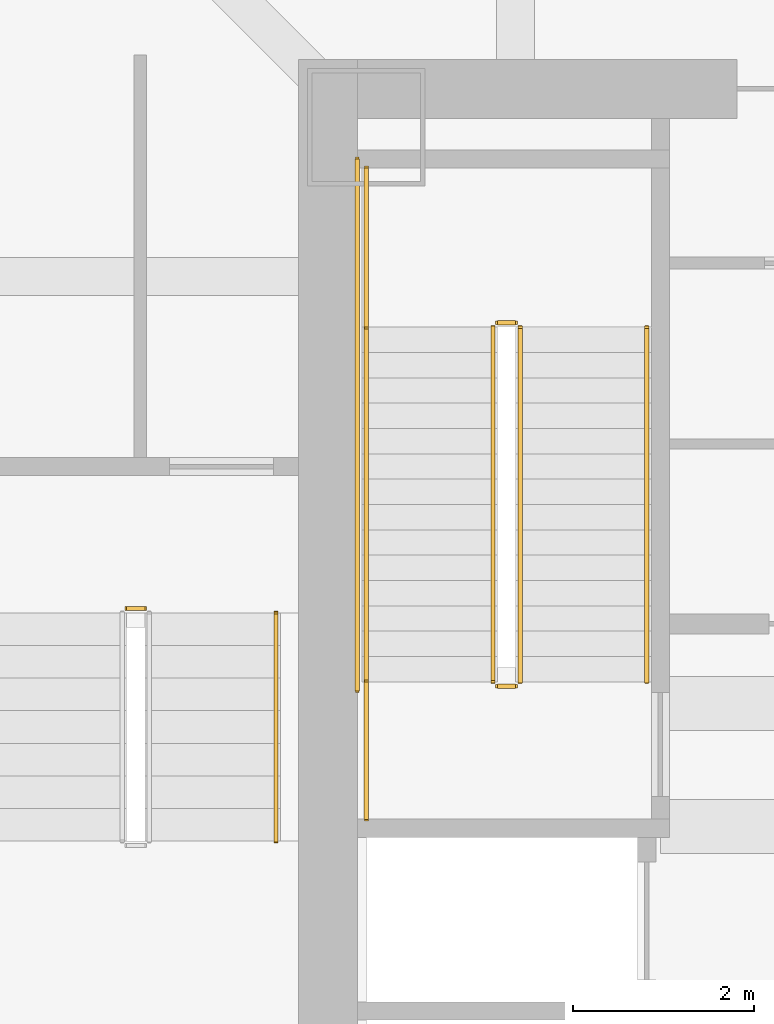
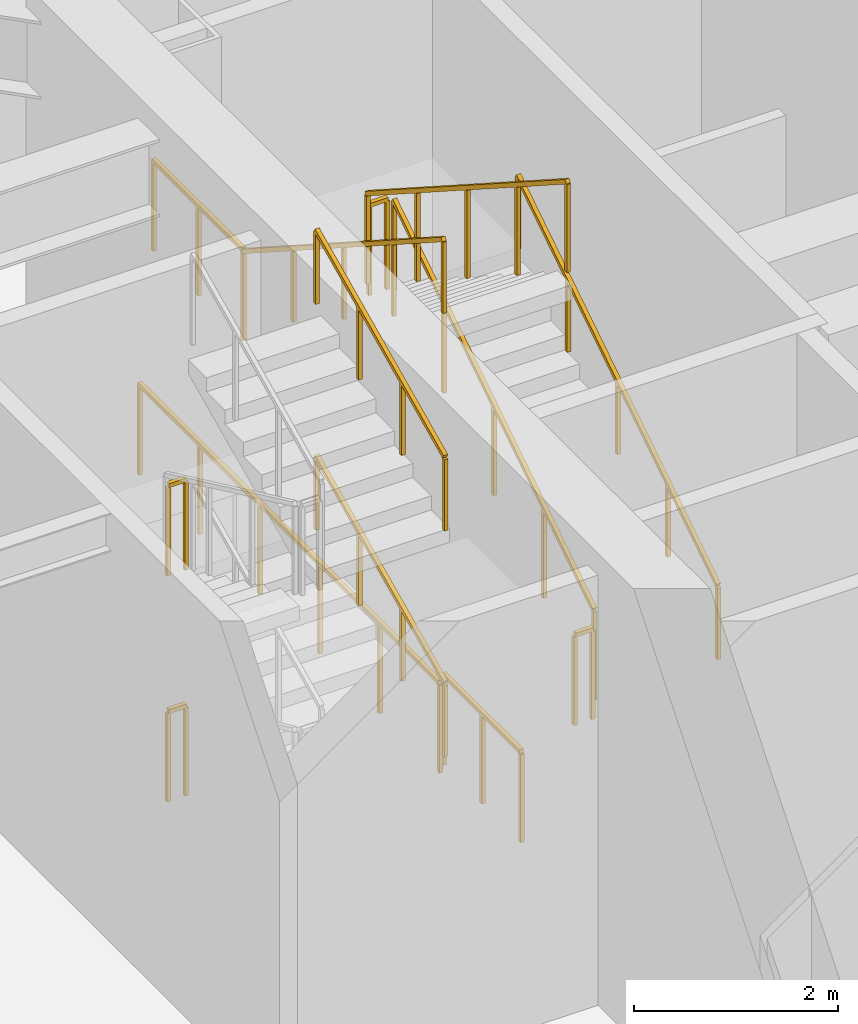
# One storey, part 44 of 48: 13 railings.
"""IFC4 building model written with IfcOpenShell, lengths in metres."""

import ifcopenshell
import ifcopenshell.guid

model = None  # the IFC model being written
_history = None  # IfcOwnerHistory: only IFC2X3 demands one
_inside = {}  # id of a spatial element -> (the spatial element, [elements in it])
_under = {}  # id of a project, library or spatial element -> (it, [spatial elements below it])
_declared = {}  # id of a project -> (the project, [libraries it declares])
_typed = {}  # id of a type object -> (the type object, [elements of that type])
_made_of = {}  # id of a material, layer set ... -> (it, [elements and type objects made of it])


def new_model(schema):
    """Start an empty IFC model of exactly this schema.

    Asked for "IFC4X3", IfcOpenShell would pick the latest addendum, in which some entities
    have other attributes; the version numbers below select the first issue.
    IFC2X3 requires an IfcOwnerHistory on every rooted entity: one is made here for all.
    """
    global model, _history
    if schema == "IFC4X3":
        model = ifcopenshell.file(schema_version=(4, 3, 0, 0))
    else:
        model = ifcopenshell.file(schema=schema)
    _inside.clear()
    _under.clear()
    _declared.clear()
    _typed.clear()
    _made_of.clear()
    _history = None
    if model.schema == "IFC2X3":
        org = make("IfcOrganization", Name="unknown")
        user = make(
            "IfcPersonAndOrganization",
            ThePerson=make("IfcPerson", FamilyName="unknown"),
            TheOrganization=org,
        )
        app = make(
            "IfcApplication",
            ApplicationDeveloper=org,
            Version="unknown",
            ApplicationFullName="unknown",
            ApplicationIdentifier="unknown",
        )
        _history = make(
            "IfcOwnerHistory",
            OwningUser=user,
            OwningApplication=app,
            ChangeAction="ADDED",
            CreationDate=0,
        )
    return model


def make(cls, **values):
    """One entity of the class cls with the attributes given. An attribute that is None is left unset."""
    return model.create_entity(
        cls, **{name: value for name, value in values.items() if value is not None}
    )


def rooted(cls, **values):
    """An entity with a GlobalId (a new one), such as an element, a storey or a relation."""
    return make(cls, GlobalId=ifcopenshell.guid.new(), OwnerHistory=_history, **values)


def si_unit(unit_type, name, prefix=None):
    """IfcSIUnit, for example si_unit("LENGTHUNIT", "METRE", prefix="MILLI")."""
    return make("IfcSIUnit", UnitType=unit_type, Prefix=prefix, Name=name)


def assignment(units):
    """IfcUnitAssignment: the units of a project."""
    return None if units is None else make("IfcUnitAssignment", Units=units)


def point(xyz):
    """IfcCartesianPoint."""
    return None if xyz is None else make("IfcCartesianPoint", Coordinates=xyz)


def direction(xyz):
    """IfcDirection."""
    return None if xyz is None else make("IfcDirection", DirectionRatios=xyz)


def frame(location, z_axis=None, x_axis=None):
    """IfcAxis2Placement3D, a coordinate frame: its origin and axes. An axis left out is left unset."""
    return make(
        "IfcAxis2Placement3D",
        Location=point(location),
        Axis=direction(z_axis),
        RefDirection=direction(x_axis),
    )


def frame_2d(location, x_axis=None):
    """IfcAxis2Placement2D, a coordinate frame in the plane: its origin and x axis."""
    return make(
        "IfcAxis2Placement2D", Location=point(location), RefDirection=direction(x_axis)
    )


def origin():
    """The frame at (0, 0, 0) with its axes left unset."""
    return frame((0.0, 0.0, 0.0))


def origin_2d():
    """The frame at (0, 0) in the plane with its x axis left unset."""
    return frame_2d((0.0, 0.0))


def place(relative_to, where):
    """IfcLocalPlacement: puts the frame where relative to a parent placement (None: the world)."""
    return make(
        "IfcLocalPlacement", PlacementRelTo=relative_to, RelativePlacement=where
    )


def context(
    kind, dimensions, precision=None, world=None, true_north=None, identifier=None
):
    """IfcGeometricRepresentationContext, for example the 3D "Model" context."""
    return make(
        "IfcGeometricRepresentationContext",
        ContextIdentifier=identifier,
        ContextType=kind,
        CoordinateSpaceDimension=dimensions,
        Precision=precision,
        WorldCoordinateSystem=world,
        TrueNorth=true_north,
    )


def subcontext(parent, identifier, kind, view, scale=None):
    """IfcGeometricRepresentationSubContext, for example "Body" below "Model"."""
    return make(
        "IfcGeometricRepresentationSubContext",
        ContextIdentifier=identifier,
        ContextType=kind,
        ParentContext=parent,
        TargetScale=scale,
        TargetView=view,
    )


def project(units=None, contexts=None):
    """IfcProject with its units and contexts."""
    return rooted(
        "IfcProject",
        Name="project",
        RepresentationContexts=contexts,
        UnitsInContext=assignment(units),
    )


def spatial(cls, under=None, at=None, **own):
    """A site, building, storey or space (cls), placed at a placement, below another one or the project."""
    s = rooted(cls, ObjectPlacement=at, **own)
    if under is not None:
        _under.setdefault(under.id(), (under, []))[1].append(s)
    return s


def profile(cls, at=None, kind="AREA", **sizes):
    """A parametric profile (cls). Its sizes go by their IFC names, for example OverallWidth=200.0."""
    return make(cls, ProfileType=kind, Position=at, **sizes)


def rectangle(**sizes):
    """IfcRectangleProfileDef."""
    return profile("IfcRectangleProfileDef", **sizes)


def extrude(swept, where, along, depth):
    """IfcExtrudedAreaSolid: the profile swept, set in the frame where, extruded along a direction by depth."""
    return make(
        "IfcExtrudedAreaSolid",
        SweptArea=swept,
        Position=where,
        ExtrudedDirection=direction(along),
        Depth=depth,
    )


def shape(context_of_items, identifier, shape_type, items):
    """IfcShapeRepresentation: the items that make up one representation, for example the "Body"."""
    return make(
        "IfcShapeRepresentation",
        ContextOfItems=context_of_items,
        RepresentationIdentifier=identifier,
        RepresentationType=shape_type,
        Items=items,
    )


def material(Name=None, Category=None):
    """IfcMaterial."""
    return make("IfcMaterial", Name=Name, Category=Category)


def made_of(thing, what):
    """Note that an element or type object is made of a material, layer set ...; save() writes the relation."""
    if what is not None:
        _made_of.setdefault(what.id(), (what, []))[1].append(thing)
    return thing


def type_object(cls, material=None, **own):
    """A type object (cls), such as IfcWallType, which elements share."""
    return made_of(rooted(cls, **own), material)


def element(
    cls,
    number,
    at=None,
    inside=None,
    cuts=None,
    type_object=None,
    material=None,
    context=None,
    identifier="Body",
    shape_type=None,
    held_by="IfcProductDefinitionShape",
    body=None,
    shapes=None,
    **own,
):
    """One element of the class cls, such as IfcWall. Its Tag is "e" and its number.

    at: its placement. inside: the storey or other place that contains it. cuts: it is an
    opening in that element (IfcRelVoidsElement). A single representation is given by context,
    identifier, shape_type and body (its items); several are given by shapes. held_by: the class
    of the entity that holds the representations. save() writes the other relations.
    """
    e = rooted(cls, Tag="e%d" % number, ObjectPlacement=at, **own)
    if body is not None:
        shapes = [shape(context, identifier, shape_type, body)]
    if shapes is not None:
        e.Representation = make(held_by, Representations=shapes)
    if inside is not None:
        _inside.setdefault(inside.id(), (inside, []))[1].append(e)
    if cuts is not None:
        rooted(
            "IfcRelVoidsElement", RelatingBuildingElement=cuts, RelatedOpeningElement=e
        )
    if type_object is not None:
        _typed.setdefault(type_object.id(), (type_object, []))[1].append(e)
    return made_of(e, material)


def aggregate(whole, parts):
    """IfcRelAggregates: a whole, such as a stair, and the parts it consists of."""
    return rooted("IfcRelAggregates", RelatingObject=whole, RelatedObjects=parts)


def save(model, path):
    """Write the relations noted so far, then the file.

    IfcRelAggregates (storeys below a building ...), IfcRelContainedInSpatialStructure (elements
    in a storey), IfcRelDefinesByType, IfcRelAssociatesMaterial and IfcRelDeclares: one each for
    every whole, place, type object, material and project.
    """
    for whole, parts in _under.values():
        aggregate(whole, parts)
    for where, things in _inside.values():
        rooted(
            "IfcRelContainedInSpatialStructure",
            RelatedElements=things,
            RelatingStructure=where,
        )
    for kind, things in _typed.values():
        rooted("IfcRelDefinesByType", RelatedObjects=things, RelatingType=kind)
    for what, things in _made_of.values():
        rooted("IfcRelAssociatesMaterial", RelatedObjects=things, RelatingMaterial=what)
    for by, libraries in _declared.values():
        rooted("IfcRelDeclares", RelatingContext=by, RelatedDefinitions=libraries)
    model.write(path)


model = new_model("IFC4")

# Units and contexts
model_context = context("Model", 3, precision=1e-05, world=origin(), true_north=direction((0.0, 1.0)))
body_context = subcontext(model_context, "Body", "Model", "MODEL_VIEW")
ifc_project = project(units=[si_unit("LENGTHUNIT", "METRE"), si_unit("AREAUNIT", "SQUARE_METRE"), si_unit("VOLUMEUNIT", "CUBIC_METRE"), si_unit("PLANEANGLEUNIT", "RADIAN"), si_unit("MASSUNIT", "GRAM", prefix="KILO")], contexts=[model_context])

# Site, building, storey
site_placement = place(None, origin())
site = spatial("IfcSite", under=ifc_project, at=site_placement, CompositionType="ELEMENT")
building_placement = place(site_placement, origin())
building = spatial("IfcBuilding", under=site, at=building_placement, Name="Tashvorn Skyway Center", CompositionType="ELEMENT")
storey_placement = place(building_placement, frame((0.0, 0.0, 10.199951171875)))
storey = spatial("IfcBuildingStorey", under=building, at=storey_placement, Name="L02", CompositionType="ELEMENT", Elevation=10.199951171875)

# Railings
ifc_material_1 = material(Name="Brushed stainless steel 316", Category="steel")
railing_type_1 = type_object("IfcRailingType", Name="RAIL-HAND-920", PredefinedType="HANDRAIL", material=ifc_material_1)
railing_1_placement = place(storey_placement, frame((38.050048828125, 32.919921875, 0.179931640625)))
element("IfcRailing", 1, at=railing_1_placement, inside=storey, type_object=railing_type_1, Name="L02 ST-T1-1 stair handrail 1", PredefinedType="HANDRAIL", context=body_context, shape_type="SweptSolid", body=[
    extrude(rectangle(XDim=0.048095703125, YDim=0.048095703125, at=origin_2d()), frame((0.0, 0.0, 0.8759765625), z_axis=(0.0, 0.841186985886, 0.540744352514), x_axis=(-1.0, 0.0, 0.0)), (0.0, 0.0, 1.0), 4.660400390625),
    extrude(rectangle(XDim=0.0419921875, YDim=0.0419921875, at=origin_2d()), origin(), (0.0, 0.0, 1.0), 0.851806640625),
    extrude(rectangle(XDim=0.0419921875, YDim=0.0419921875, at=origin_2d()), frame((0.0, 0.97998046875, 0.6298828125)), (0.0, 0.0, 1.0), 0.851806640625),
    extrude(rectangle(XDim=0.0419921875, YDim=0.0419921875, at=origin_2d()), frame((0.0, 1.9599609375, 1.260009765625)), (0.0, 0.0, 1.0), 0.851806640625),
    extrude(rectangle(XDim=0.0419921875, YDim=0.0419921875, at=origin_2d()), frame((0.0, 2.940185546875, 1.89013671875)), (0.0, 0.0, 1.0), 0.851806640625),
    extrude(rectangle(XDim=0.0419921875, YDim=0.0419921875, at=origin_2d()), frame((0.0, 3.920166015625, 2.52001953125)), (0.0, 0.0, 1.0), 0.851806640625),
])
railing_2_placement = place(storey_placement, frame((34.949951171875, 36.840087890625, 2.880126953125)))
element("IfcRailing", 2, at=railing_2_placement, inside=storey, type_object=railing_type_1, Name="L02 ST-T1-1 stair handrail 2", PredefinedType="HANDRAIL", context=body_context, shape_type="SweptSolid", body=[
    extrude(rectangle(XDim=0.048095703125, YDim=0.048095703125, at=origin_2d()), frame((0.0, 0.0, 0.8759765625), z_axis=(0.0, -0.841186985886, 0.540744352514), x_axis=(1.0, 0.0, 0.0)), (0.0, 0.0, 1.0), 4.660400390625),
    extrude(rectangle(XDim=0.0419921875, YDim=0.0419921875, at=origin_2d()), origin(), (0.0, 0.0, 1.0), 0.851806640625),
    extrude(rectangle(XDim=0.0419921875, YDim=0.0419921875, at=origin_2d()), frame((0.0, -0.97998046875, 0.6298828125)), (0.0, 0.0, 1.0), 0.851806640625),
    extrude(rectangle(XDim=0.0419921875, YDim=0.0419921875, at=origin_2d()), frame((0.0, -1.9599609375, 1.260009765625)), (0.0, 0.0, 1.0), 0.851806640625),
    extrude(rectangle(XDim=0.0419921875, YDim=0.0419921875, at=origin_2d()), frame((0.0, -2.940185546875, 1.89013671875)), (0.0, 0.0, 1.0), 0.851806640625),
    extrude(rectangle(XDim=0.0419921875, YDim=0.0419921875, at=origin_2d()), frame((0.0, -3.920166015625, 2.52001953125)), (0.0, 0.0, 1.0), 0.851806640625),
])
railing_3_placement = place(storey_placement, frame((33.949951171875, 31.159912109375, 1.518798828125)))
element("IfcRailing", 3, at=railing_3_placement, inside=storey, type_object=railing_type_1, Name="L02 ST-T1-3 stair handrail 2", PredefinedType="HANDRAIL", context=body_context, shape_type="SweptSolid", body=[
    extrude(rectangle(XDim=0.048095703125, YDim=0.048095703125, at=origin_2d()), frame((0.0, 0.0, 0.8759765625), z_axis=(0.0, 0.905473684625, 0.424402410988), x_axis=(-1.0, 0.0, 0.0)), (0.0, 0.0, 1.0), 2.783203125),
    extrude(rectangle(XDim=0.0419921875, YDim=0.0419921875, at=origin_2d()), origin(), (0.0, 0.0, 1.0), 0.851806640625),
    extrude(rectangle(XDim=0.0419921875, YDim=0.0419921875, at=origin_2d()), frame((0.0, 0.840087890625, 0.393798828125)), (0.0, 0.0, 1.0), 0.851806640625),
    extrude(rectangle(XDim=0.0419921875, YDim=0.0419921875, at=origin_2d()), frame((0.0, 1.679931640625, 0.787353515625)), (0.0, 0.0, 1.0), 0.851806640625),
    extrude(rectangle(XDim=0.0419921875, YDim=0.0419921875, at=origin_2d()), frame((0.0, 2.52001953125, 1.18115234375)), (0.0, 0.0, 1.0), 0.851806640625),
])
railing_4_placement = place(storey_placement, frame((33.949951171875, 31.159912109375, 4.21875)))
element("IfcRailing", 4, at=railing_4_placement, inside=storey, type_object=railing_type_1, Name="L02 ST-T1-3 stair handrail 4", PredefinedType="HANDRAIL", context=body_context, shape_type="SweptSolid", body=[
    extrude(rectangle(XDim=0.048095703125, YDim=0.048095703125, at=origin_2d()), frame((0.0, 0.0, 0.8759765625), z_axis=(0.0, 0.905439972488, 0.424474329284), x_axis=(-1.0, 0.0, 0.0)), (0.0, 0.0, 1.0), 2.783203125),
    extrude(rectangle(XDim=0.0419921875, YDim=0.0419921875, at=origin_2d()), origin(), (0.0, 0.0, 1.0), 0.851806640625),
    extrude(rectangle(XDim=0.0419921875, YDim=0.0419921875, at=origin_2d()), frame((0.0, 0.840087890625, 0.393798828125)), (0.0, 0.0, 1.0), 0.851806640625),
    extrude(rectangle(XDim=0.0419921875, YDim=0.0419921875, at=origin_2d()), frame((0.0, 1.679931640625, 0.78759765625)), (0.0, 0.0, 1.0), 0.851806640625),
    extrude(rectangle(XDim=0.0419921875, YDim=0.0419921875, at=origin_2d()), frame((0.0, 2.52001953125, 1.181396484375)), (0.0, 0.0, 1.0), 0.851806640625),
])
ifc_material_2 = material(Name="Painted galvanized steel S355", Category="steel")
railing_type_2 = type_object("IfcRailingType", Name="RAIL-STGUARD-1100", PredefinedType="GUARDRAIL", material=ifc_material_2)
railing_5_placement = place(storey_placement, frame((36.64990234375, 32.919921875, 0.179931640625)))
element("IfcRailing", 5, at=railing_5_placement, inside=storey, type_object=railing_type_2, Name="L02 ST-T1-1 stair guard 1", PredefinedType="GUARDRAIL", context=body_context, shape_type="SweptSolid", body=[
    extrude(rectangle(XDim=0.048095703125, YDim=0.048095703125, at=origin_2d()), frame((0.0, 0.0, 1.076171875), z_axis=(0.0, 0.841186985886, 0.540744352514), x_axis=(-1.0, 0.0, 0.0)), (0.0, 0.0, 1.0), 4.660400390625),
    extrude(rectangle(XDim=0.0419921875, YDim=0.0419921875, at=origin_2d()), origin(), (0.0, 0.0, 1.0), 1.052001953125),
    extrude(rectangle(XDim=0.0419921875, YDim=0.0419921875, at=origin_2d()), frame((0.0, 0.97998046875, 0.6298828125)), (0.0, 0.0, 1.0), 1.052001953125),
    extrude(rectangle(XDim=0.0419921875, YDim=0.0419921875, at=origin_2d()), frame((0.0, 1.9599609375, 1.260009765625)), (0.0, 0.0, 1.0), 1.052001953125),
    extrude(rectangle(XDim=0.0419921875, YDim=0.0419921875, at=origin_2d()), frame((0.0, 2.940185546875, 1.89013671875)), (0.0, 0.0, 1.0), 1.052001953125),
    extrude(rectangle(XDim=0.0419921875, YDim=0.0419921875, at=origin_2d()), frame((0.0, 3.920166015625, 2.52001953125)), (0.0, 0.0, 1.0), 1.052001953125),
])
railing_6_placement = place(storey_placement, frame((36.60009765625, 36.889892578125, 2.699951171875)))
element("IfcRailing", 6, at=railing_6_placement, inside=storey, type_object=railing_type_2, Name="L02 ST-T1-1 stair guard 2", PredefinedType="GUARDRAIL", context=body_context, shape_type="SweptSolid", body=[
    extrude(rectangle(XDim=0.048095703125, YDim=0.048095703125, at=origin_2d()), frame((0.0, 0.0, 1.076171875), z_axis=(-1.0, 0.0, 0.0), x_axis=(0.0, -1.0, 0.0)), (0.0, 0.0, 1.0), 0.2001953125),
    extrude(rectangle(XDim=0.0419921875, YDim=0.0419921875, at=origin_2d()), origin(), (0.0, 0.0, 1.0), 1.052001953125),
    extrude(rectangle(XDim=0.0419921875, YDim=0.0419921875, at=origin_2d()), frame((-0.2001953125, 0.0, 0.0)), (0.0, 0.0, 1.0), 1.052001953125),
])
railing_7_placement = place(storey_placement, frame((34.949951171875, 36.840087890625, 2.699951171875)))
element("IfcRailing", 7, at=railing_7_placement, inside=storey, type_object=railing_type_2, Name="L02 ST-T1-1 stair guard 3", PredefinedType="GUARDRAIL", context=body_context, shape_type="SweptSolid", body=[
    extrude(rectangle(XDim=0.048095703125, YDim=0.048095703125, at=origin_2d()), frame((0.0, 0.0, 1.076171875), z_axis=(0.0, 1.0, 0.0), x_axis=(-1.0, 0.0, 0.0)), (0.0, 0.0, 1.0), 1.760009765625),
    extrude(rectangle(XDim=0.0419921875, YDim=0.0419921875, at=origin_2d()), origin(), (0.0, 0.0, 1.0), 1.052001953125),
    extrude(rectangle(XDim=0.0419921875, YDim=0.0419921875, at=origin_2d()), frame((0.0, 0.8798828125, 0.0)), (0.0, 0.0, 1.0), 1.052001953125),
    extrude(rectangle(XDim=0.0419921875, YDim=0.0419921875, at=origin_2d()), frame((0.0, 1.760009765625, 0.0)), (0.0, 0.0, 1.0), 1.052001953125),
])
railing_8_placement = place(storey_placement, frame((36.35009765625, 36.840087890625, 2.880126953125)))
element("IfcRailing", 8, at=railing_8_placement, inside=storey, type_object=railing_type_2, Name="L02 ST-T1-1 stair guard 4", PredefinedType="GUARDRAIL", context=body_context, shape_type="SweptSolid", body=[
    extrude(rectangle(XDim=0.048095703125, YDim=0.048095703125, at=origin_2d()), frame((0.0, 0.0, 1.076171875), z_axis=(0.0, -0.841186985886, 0.540744352514), x_axis=(1.0, 0.0, 0.0)), (0.0, 0.0, 1.0), 4.660400390625),
    extrude(rectangle(XDim=0.0419921875, YDim=0.0419921875, at=origin_2d()), origin(), (0.0, 0.0, 1.0), 1.052001953125),
    extrude(rectangle(XDim=0.0419921875, YDim=0.0419921875, at=origin_2d()), frame((0.0, -0.97998046875, 0.6298828125)), (0.0, 0.0, 1.0), 1.052001953125),
    extrude(rectangle(XDim=0.0419921875, YDim=0.0419921875, at=origin_2d()), frame((0.0, -1.9599609375, 1.260009765625)), (0.0, 0.0, 1.0), 1.052001953125),
    extrude(rectangle(XDim=0.0419921875, YDim=0.0419921875, at=origin_2d()), frame((0.0, -2.940185546875, 1.89013671875)), (0.0, 0.0, 1.0), 1.052001953125),
    extrude(rectangle(XDim=0.0419921875, YDim=0.0419921875, at=origin_2d()), frame((0.0, -3.920166015625, 2.52001953125)), (0.0, 0.0, 1.0), 1.052001953125),
])
railing_9_placement = place(storey_placement, frame((36.60009765625, 32.8701171875, 0.0)))
element("IfcRailing", 9, at=railing_9_placement, inside=storey, type_object=railing_type_2, Name="L02 ST-T1-1 stair guard 5", PredefinedType="GUARDRAIL", context=body_context, shape_type="SweptSolid", body=[
    extrude(rectangle(XDim=0.048095703125, YDim=0.048095703125, at=origin_2d()), frame((0.0, 0.0, 1.076171875), z_axis=(-1.0, 0.0, 0.0), x_axis=(0.0, -1.0, 0.0)), (0.0, 0.0, 1.0), 0.2001953125),
    extrude(rectangle(XDim=0.0419921875, YDim=0.0419921875, at=origin_2d()), origin(), (0.0, 0.0, 1.0), 1.052001953125),
    extrude(rectangle(XDim=0.0419921875, YDim=0.0419921875, at=origin_2d()), frame((-0.2001953125, 0.0, 0.0)), (0.0, 0.0, 1.0), 1.052001953125),
])
railing_10_placement = place(storey_placement, frame((34.949951171875, 31.39990234375, 0.0)))
element("IfcRailing", 10, at=railing_10_placement, inside=storey, type_object=railing_type_2, Name="L02 ST-T1-1 stair guard 6", PredefinedType="GUARDRAIL", context=body_context, shape_type="SweptSolid", body=[
    extrude(rectangle(XDim=0.048095703125, YDim=0.048095703125, at=origin_2d()), frame((0.0, 0.0, 1.076171875), z_axis=(0.0, 1.0, 0.0), x_axis=(-1.0, 0.0, 0.0)), (0.0, 0.0, 1.0), 1.52001953125),
    extrude(rectangle(XDim=0.0419921875, YDim=0.0419921875, at=origin_2d()), origin(), (0.0, 0.0, 1.0), 1.052001953125),
    extrude(rectangle(XDim=0.0419921875, YDim=0.0419921875, at=origin_2d()), frame((0.0, 0.760009765625, 0.0)), (0.0, 0.0, 1.0), 1.052001953125),
    extrude(rectangle(XDim=0.0419921875, YDim=0.0419921875, at=origin_2d()), frame((0.0, 1.52001953125, 0.0)), (0.0, 0.0, 1.0), 1.052001953125),
])
railing_11_placement = place(storey_placement, frame((34.85009765625, 32.820068359375, 0.0)))
element("IfcRailing", 11, at=railing_11_placement, inside=storey, type_object=railing_type_2, Name="L02 ST-T1-1 stair guard 7", PredefinedType="GUARDRAIL", context=body_context, shape_type="SweptSolid", body=[
    extrude(rectangle(XDim=0.048095703125, YDim=0.048095703125, at=origin_2d()), frame((0.0, 0.0, 1.076171875), z_axis=(0.0, 1.0, 0.0), x_axis=(-1.0, 0.0, 0.0)), (0.0, 0.0, 1.0), 5.8798828125),
    extrude(rectangle(XDim=0.0419921875, YDim=0.0419921875, at=origin_2d()), origin(), (0.0, 0.0, 1.0), 1.052001953125),
    extrude(rectangle(XDim=0.0419921875, YDim=0.0419921875, at=origin_2d()), frame((0.0, 1.176025390625, 0.0)), (0.0, 0.0, 1.0), 1.052001953125),
    extrude(rectangle(XDim=0.0419921875, YDim=0.0419921875, at=origin_2d()), frame((0.0, 2.35205078125, 0.0)), (0.0, 0.0, 1.0), 1.052001953125),
    extrude(rectangle(XDim=0.0419921875, YDim=0.0419921875, at=origin_2d()), frame((0.0, 3.52783203125, 0.0)), (0.0, 0.0, 1.0), 1.052001953125),
    extrude(rectangle(XDim=0.0419921875, YDim=0.0419921875, at=origin_2d()), frame((0.0, 4.703857421875, 0.0)), (0.0, 0.0, 1.0), 1.052001953125),
    extrude(rectangle(XDim=0.0419921875, YDim=0.0419921875, at=origin_2d()), frame((0.0, 5.8798828125, 0.0)), (0.0, 0.0, 1.0), 1.052001953125),
])
for number, where, name in (
    (12, (32.300048828125, 33.72998046875, 2.699951171875), "L02 ST-T1-3 stair guard 4"),
    (13, (32.300048828125, 33.72998046875, 0.0), "L02 ST-T1-3 stair guard 8"),
):
    element("IfcRailing", number, at=place(storey_placement, frame(where)), inside=storey, type_object=railing_type_2, Name=name, PredefinedType="GUARDRAIL", context=body_context, shape_type="SweptSolid", body=[
        extrude(rectangle(XDim=0.048095703125, YDim=0.048095703125, at=origin_2d()), frame((0.0, 0.0, 1.076171875), z_axis=(1.0, 0.0, 0.0), x_axis=(0.0, 1.0, 0.0)), (0.0, 0.0, 1.0), 0.199951171875),
        extrude(rectangle(XDim=0.0419921875, YDim=0.0419921875, at=origin_2d()), origin(), (0.0, 0.0, 1.0), 1.052001953125),
        extrude(rectangle(XDim=0.0419921875, YDim=0.0419921875, at=origin_2d()), frame((0.199951171875, 0.0, 0.0)), (0.0, 0.0, 1.0), 1.052001953125),
    ])

save(model, "model.ifc")
